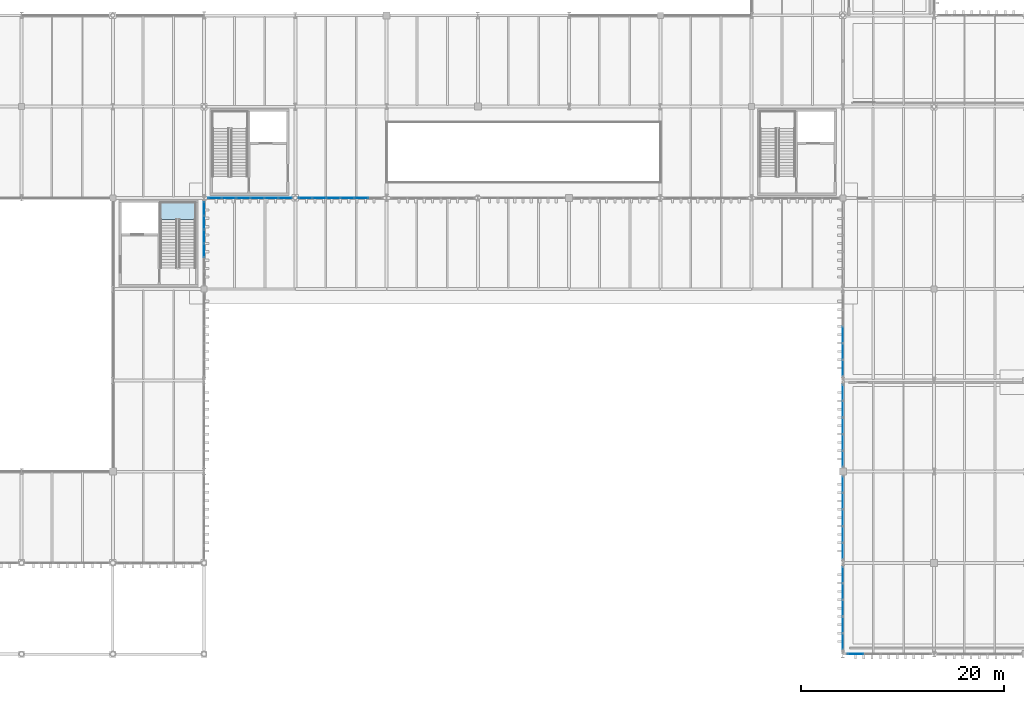
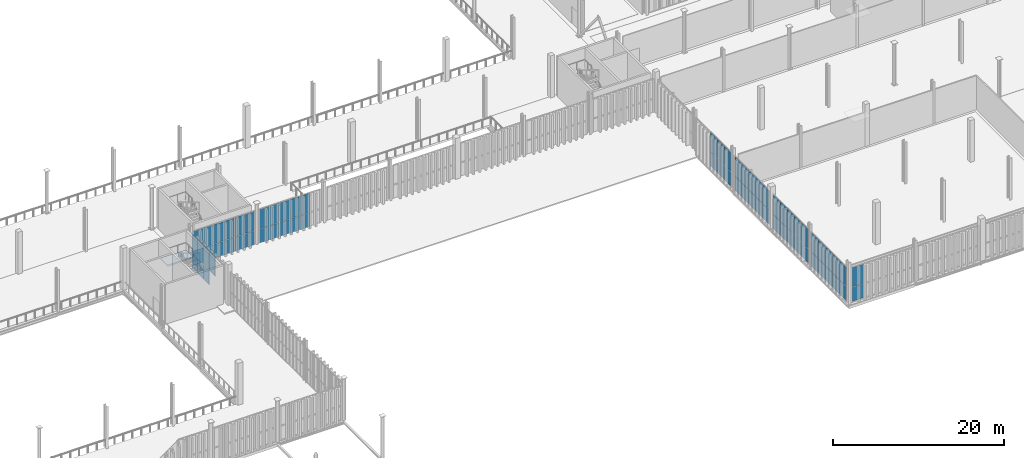
# One storey, part 154 of 211: 67 plates, 1 slab, 9 elements without a shape of their own.
"""IFC4 building model written with IfcOpenShell, lengths in metres."""

from ifc_helpers import new_model, si_unit, direction, frame, origin, origin_2d, place, context, subcontext, project, spatial, polyline, rectangle, outline, extrude, material, layer, layer_set, type_object, element, aggregate, save


model = new_model("IFC4")

# Units and contexts
model_context = context("Model", 3, precision=1e-05, world=origin(), true_north=direction((0.0, 1.0)))
body_context = subcontext(model_context, "Body", "Model", "MODEL_VIEW")
ifc_project = project(units=[si_unit("LENGTHUNIT", "METRE"), si_unit("AREAUNIT", "SQUARE_METRE"), si_unit("VOLUMEUNIT", "CUBIC_METRE"), si_unit("PLANEANGLEUNIT", "RADIAN"), si_unit("MASSUNIT", "GRAM", prefix="KILO")], contexts=[model_context])

# Site, building, storey
site_placement = place(None, origin())
site = spatial("IfcSite", under=ifc_project, at=site_placement, CompositionType="ELEMENT")
building_placement = place(site_placement, origin())
building = spatial("IfcBuilding", under=site, at=building_placement, Name="Barlavento Convention Centre", CompositionType="ELEMENT")
storey_placement = place(building_placement, frame((0.0, 0.0, 6.0)))
storey = spatial("IfcBuildingStorey", under=building, at=storey_placement, Name="L01", CompositionType="ELEMENT", Elevation=6.0)

# Curtain wall, plates
ifc_material_1 = material(Name="Powder-coated aluminium and Low-E glass", Category="aluminium")
ifc_layer_1 = layer(ifc_material_1, 0.18505859375)
ifc_layer_set_1 = layer_set([ifc_layer_1], Name="ARC-CW-CONG-L01")
curtain_wall_type_1 = type_object("IfcCurtainWallType", Name="ARC-CW-CONG-L01", PredefinedType="NOTDEFINED", material=ifc_layer_set_1)
curtain_wall_1_placement = place(storey_placement, origin())
curtain_wall_1 = element("IfcCurtainWall", 1, at=curtain_wall_1_placement, inside=storey, type_object=curtain_wall_type_1, Name="L01 unitised curtain wall CW01", PredefinedType="NOTDEFINED")
ifc_material_2 = material(Name="Double-silver Low-E acoustic laminated glass", Category="glass")
ifc_layer_2 = layer(ifc_material_2, 0.031982421875)
ifc_layer_set_2 = layer_set([ifc_layer_2], Name="ARC-CWP-GLZ32")
plate_type = type_object("IfcPlateType", Name="ARC-CWP-GLZ32", PredefinedType="CURTAIN_PANEL", material=ifc_layer_set_2)
plate_1_placement = place(storey_placement, frame((63.0, 39.819091796875, 2.132568359375), z_axis=(0.0, 0.0, 1.0), x_axis=(0.0, 1.0, 0.0)))
plate_1 = element("IfcPlate", 2, at=plate_1_placement, type_object=plate_type, Name="CW01 panel 3.2", PredefinedType="CURTAIN_PANEL", context=body_context, shape_type="SweptSolid", body=[
    extrude(rectangle(XDim=1.310546875, YDim=0.031982421875, at=origin_2d()), origin(), (0.0, 0.0, 1.0), 2.75244140625),
])
plate_2_placement = place(storey_placement, frame((63.0, 41.19482421875, 0.06494140625), z_axis=(0.0, 0.0, 1.0), x_axis=(0.0, 1.0, 0.0)))
plate_2 = element("IfcPlate", 3, at=plate_2_placement, type_object=plate_type, Name="CW01 panel 4.1", PredefinedType="CURTAIN_PANEL", context=body_context, shape_type="SweptSolid", body=[
    extrude(rectangle(XDim=1.310546875, YDim=0.031982421875, at=origin_2d()), origin(), (0.0, 0.0, 1.0), 2.00244140625),
])
plate_3_placement = place(storey_placement, frame((63.0, 41.19482421875, 2.132568359375), z_axis=(0.0, 0.0, 1.0), x_axis=(0.0, 1.0, 0.0)))
plate_3 = element("IfcPlate", 4, at=plate_3_placement, type_object=plate_type, Name="CW01 panel 4.2", PredefinedType="CURTAIN_PANEL", context=body_context, shape_type="SweptSolid", body=[
    extrude(rectangle(XDim=1.310546875, YDim=0.031982421875, at=origin_2d()), origin(), (0.0, 0.0, 1.0), 2.75244140625),
])
plate_4_placement = place(storey_placement, frame((63.0, 42.570556640625, 0.06494140625), z_axis=(0.0, 0.0, 1.0), x_axis=(0.0, 1.0, 0.0)))
plate_4 = element("IfcPlate", 5, at=plate_4_placement, type_object=plate_type, Name="CW01 panel 5.1", PredefinedType="CURTAIN_PANEL", context=body_context, shape_type="SweptSolid", body=[
    extrude(rectangle(XDim=1.310546875, YDim=0.031982421875, at=origin_2d()), origin(), (0.0, 0.0, 1.0), 2.00244140625),
])
plate_5_placement = place(storey_placement, frame((63.0, 42.570556640625, 2.132568359375), z_axis=(0.0, 0.0, 1.0), x_axis=(0.0, 1.0, 0.0)))
plate_5 = element("IfcPlate", 6, at=plate_5_placement, type_object=plate_type, Name="CW01 panel 5.2", PredefinedType="CURTAIN_PANEL", context=body_context, shape_type="SweptSolid", body=[
    extrude(rectangle(XDim=1.310546875, YDim=0.031982421875, at=origin_2d()), origin(), (0.0, 0.0, 1.0), 2.75244140625),
])
plate_6_placement = place(storey_placement, frame((63.0, 43.929931640625, 0.06494140625), z_axis=(0.0, 0.0, 1.0), x_axis=(0.0, 1.0, 0.0)))
plate_6 = element("IfcPlate", 7, at=plate_6_placement, type_object=plate_type, Name="CW01 panel 6.1", PredefinedType="CURTAIN_PANEL", context=body_context, shape_type="SweptSolid", body=[
    extrude(rectangle(XDim=1.278076171875, YDim=0.031982421875, at=origin_2d()), origin(), (0.0, 0.0, 1.0), 2.00244140625),
])
plate_7_placement = place(storey_placement, frame((63.0, 43.929931640625, 2.132568359375), z_axis=(0.0, 0.0, 1.0), x_axis=(0.0, 1.0, 0.0)))
plate_7 = element("IfcPlate", 8, at=plate_7_placement, type_object=plate_type, Name="CW01 panel 6.2", PredefinedType="CURTAIN_PANEL", context=body_context, shape_type="SweptSolid", body=[
    extrude(rectangle(XDim=1.278076171875, YDim=0.031982421875, at=origin_2d()), origin(), (0.0, 0.0, 1.0), 2.75244140625),
])
aggregate(curtain_wall_1, [plate_1, plate_2, plate_3, plate_4, plate_5, plate_6, plate_7])

ifc_layer_3 = layer(ifc_material_1, 0.195068359375)
ifc_layer_set_3 = layer_set([ifc_layer_3], Name="ARC-CW-FOY-L01")
curtain_wall_type_2 = type_object("IfcCurtainWallType", Name="ARC-CW-FOY-L01", PredefinedType="NOTDEFINED", material=ifc_layer_set_3)
curtain_wall_2_placement = place(storey_placement, origin())
curtain_wall_2 = element("IfcCurtainWall", 9, at=curtain_wall_2_placement, inside=storey, type_object=curtain_wall_type_2, Name="L01 unitised curtain wall CW03", PredefinedType="NOTDEFINED")
plate_8_placement = place(storey_placement, frame((64.078125, 45.0, 0.06494140625), z_axis=(0.0, 0.0, 1.0), x_axis=(1.0, 0.0, 0.0)))
plate_8 = element("IfcPlate", 10, at=plate_8_placement, type_object=plate_type, Name="CW03 panel 1.1", PredefinedType="CURTAIN_PANEL", context=body_context, shape_type="SweptSolid", body=[
    extrude(rectangle(XDim=1.294189453125, YDim=0.031982421875, at=origin_2d()), origin(), (0.0, 0.0, 1.0), 2.00244140625),
])
plate_9_placement = place(storey_placement, frame((64.078125, 45.0, 2.132568359375), z_axis=(0.0, 0.0, 1.0), x_axis=(1.0, 0.0, 0.0)))
plate_9 = element("IfcPlate", 11, at=plate_9_placement, type_object=plate_type, Name="CW03 panel 1.2", PredefinedType="CURTAIN_PANEL", context=body_context, shape_type="SweptSolid", body=[
    extrude(rectangle(XDim=1.294189453125, YDim=0.031982421875, at=origin_2d()), origin(), (0.0, 0.0, 1.0), 2.75244140625),
])
plate_10_placement = place(storey_placement, frame((65.45361328125, 45.0, 0.06494140625), z_axis=(0.0, 0.0, 1.0), x_axis=(1.0, 0.0, 0.0)))
plate_10 = element("IfcPlate", 12, at=plate_10_placement, type_object=plate_type, Name="CW03 panel 2.1", PredefinedType="CURTAIN_PANEL", context=body_context, shape_type="SweptSolid", body=[
    extrude(rectangle(XDim=1.326904296875, YDim=0.031982421875, at=origin_2d()), origin(), (0.0, 0.0, 1.0), 2.00244140625),
])
plate_11_placement = place(storey_placement, frame((65.45361328125, 45.0, 2.132568359375), z_axis=(0.0, 0.0, 1.0), x_axis=(1.0, 0.0, 0.0)))
plate_11 = element("IfcPlate", 13, at=plate_11_placement, type_object=plate_type, Name="CW03 panel 2.2", PredefinedType="CURTAIN_PANEL", context=body_context, shape_type="SweptSolid", body=[
    extrude(rectangle(XDim=1.326904296875, YDim=0.031982421875, at=origin_2d()), origin(), (0.0, 0.0, 1.0), 2.75244140625),
])
plate_12_placement = place(storey_placement, frame((66.845458984375, 45.0, 0.06494140625), z_axis=(0.0, 0.0, 1.0), x_axis=(1.0, 0.0, 0.0)))
plate_12 = element("IfcPlate", 14, at=plate_12_placement, type_object=plate_type, Name="CW03 panel 3.1", PredefinedType="CURTAIN_PANEL", context=body_context, shape_type="SweptSolid", body=[
    extrude(rectangle(XDim=1.326904296875, YDim=0.031982421875, at=origin_2d()), origin(), (0.0, 0.0, 1.0), 2.00244140625),
])
plate_13_placement = place(storey_placement, frame((66.845458984375, 45.0, 2.132568359375), z_axis=(0.0, 0.0, 1.0), x_axis=(1.0, 0.0, 0.0)))
plate_13 = element("IfcPlate", 15, at=plate_13_placement, type_object=plate_type, Name="CW03 panel 3.2", PredefinedType="CURTAIN_PANEL", context=body_context, shape_type="SweptSolid", body=[
    extrude(rectangle(XDim=1.326904296875, YDim=0.031982421875, at=origin_2d()), origin(), (0.0, 0.0, 1.0), 2.75244140625),
])
plate_14_placement = place(storey_placement, frame((68.2373046875, 45.0, 0.06494140625), z_axis=(0.0, 0.0, 1.0), x_axis=(1.0, 0.0, 0.0)))
plate_14 = element("IfcPlate", 16, at=plate_14_placement, type_object=plate_type, Name="CW03 panel 4.1", PredefinedType="CURTAIN_PANEL", context=body_context, shape_type="SweptSolid", body=[
    extrude(rectangle(XDim=1.326904296875, YDim=0.031982421875, at=origin_2d()), origin(), (0.0, 0.0, 1.0), 2.00244140625),
])
plate_15_placement = place(storey_placement, frame((68.2373046875, 45.0, 2.132568359375), z_axis=(0.0, 0.0, 1.0), x_axis=(1.0, 0.0, 0.0)))
plate_15 = element("IfcPlate", 17, at=plate_15_placement, type_object=plate_type, Name="CW03 panel 4.2", PredefinedType="CURTAIN_PANEL", context=body_context, shape_type="SweptSolid", body=[
    extrude(rectangle(XDim=1.326904296875, YDim=0.031982421875, at=origin_2d()), origin(), (0.0, 0.0, 1.0), 2.75244140625),
])
plate_16_placement = place(storey_placement, frame((69.629150390625, 45.0, 0.06494140625), z_axis=(0.0, 0.0, 1.0), x_axis=(1.0, 0.0, 0.0)))
plate_16 = element("IfcPlate", 18, at=plate_16_placement, type_object=plate_type, Name="CW03 panel 5.1", PredefinedType="CURTAIN_PANEL", context=body_context, shape_type="SweptSolid", body=[
    extrude(rectangle(XDim=1.326904296875, YDim=0.031982421875, at=origin_2d()), origin(), (0.0, 0.0, 1.0), 2.00244140625),
])
plate_17_placement = place(storey_placement, frame((69.629150390625, 45.0, 2.132568359375), z_axis=(0.0, 0.0, 1.0), x_axis=(1.0, 0.0, 0.0)))
plate_17 = element("IfcPlate", 19, at=plate_17_placement, type_object=plate_type, Name="CW03 panel 5.2", PredefinedType="CURTAIN_PANEL", context=body_context, shape_type="SweptSolid", body=[
    extrude(rectangle(XDim=1.326904296875, YDim=0.031982421875, at=origin_2d()), origin(), (0.0, 0.0, 1.0), 2.75244140625),
])
plate_18_placement = place(storey_placement, frame((71.004638671875, 45.0, 0.06494140625), z_axis=(0.0, 0.0, 1.0), x_axis=(1.0, 0.0, 0.0)))
plate_18 = element("IfcPlate", 20, at=plate_18_placement, type_object=plate_type, Name="CW03 panel 6.1", PredefinedType="CURTAIN_PANEL", context=body_context, shape_type="SweptSolid", body=[
    extrude(rectangle(XDim=1.294189453125, YDim=0.031982421875, at=origin_2d()), origin(), (0.0, 0.0, 1.0), 2.00244140625),
])
plate_19_placement = place(storey_placement, frame((71.004638671875, 45.0, 2.132568359375), z_axis=(0.0, 0.0, 1.0), x_axis=(1.0, 0.0, 0.0)))
plate_19 = element("IfcPlate", 21, at=plate_19_placement, type_object=plate_type, Name="CW03 panel 6.2", PredefinedType="CURTAIN_PANEL", context=body_context, shape_type="SweptSolid", body=[
    extrude(rectangle(XDim=1.294189453125, YDim=0.031982421875, at=origin_2d()), origin(), (0.0, 0.0, 1.0), 2.75244140625),
])
aggregate(curtain_wall_2, [plate_8, plate_9, plate_10, plate_11, plate_12, plate_13, plate_14, plate_15, plate_16, plate_17, plate_18, plate_19])

curtain_wall_3_placement = place(storey_placement, origin())
curtain_wall_3 = element("IfcCurtainWall", 22, at=curtain_wall_3_placement, inside=storey, type_object=curtain_wall_type_2, Name="L01 unitised curtain wall CW03", PredefinedType="NOTDEFINED")
plate_20_placement = place(storey_placement, frame((72.991455078125, 45.0, 0.06494140625), z_axis=(0.0, 0.0, 1.0), x_axis=(1.0, 0.0, 0.0)))
plate_20 = element("IfcPlate", 23, at=plate_20_placement, type_object=plate_type, Name="CW03 panel 1.1", PredefinedType="CURTAIN_PANEL", context=body_context, shape_type="SweptSolid", body=[
    extrude(rectangle(XDim=1.286376953125, YDim=0.031982421875, at=origin_2d()), origin(), (0.0, 0.0, 1.0), 2.00244140625),
])
plate_21_placement = place(storey_placement, frame((72.991455078125, 45.0, 2.132568359375), z_axis=(0.0, 0.0, 1.0), x_axis=(1.0, 0.0, 0.0)))
plate_21 = element("IfcPlate", 24, at=plate_21_placement, type_object=plate_type, Name="CW03 panel 1.2", PredefinedType="CURTAIN_PANEL", context=body_context, shape_type="SweptSolid", body=[
    extrude(rectangle(XDim=1.286376953125, YDim=0.031982421875, at=origin_2d()), origin(), (0.0, 0.0, 1.0), 2.75244140625),
])
plate_22_placement = place(storey_placement, frame((74.35888671875, 45.0, 0.06494140625), z_axis=(0.0, 0.0, 1.0), x_axis=(1.0, 0.0, 0.0)))
plate_22 = element("IfcPlate", 25, at=plate_22_placement, type_object=plate_type, Name="CW03 panel 2.1", PredefinedType="CURTAIN_PANEL", context=body_context, shape_type="SweptSolid", body=[
    extrude(rectangle(XDim=1.31884765625, YDim=0.031982421875, at=origin_2d()), origin(), (0.0, 0.0, 1.0), 2.00244140625),
])
plate_23_placement = place(storey_placement, frame((74.35888671875, 45.0, 2.132568359375), z_axis=(0.0, 0.0, 1.0), x_axis=(1.0, 0.0, 0.0)))
plate_23 = element("IfcPlate", 26, at=plate_23_placement, type_object=plate_type, Name="CW03 panel 2.2", PredefinedType="CURTAIN_PANEL", context=body_context, shape_type="SweptSolid", body=[
    extrude(rectangle(XDim=1.31884765625, YDim=0.031982421875, at=origin_2d()), origin(), (0.0, 0.0, 1.0), 2.75244140625),
])
plate_24_placement = place(storey_placement, frame((75.74267578125, 45.0, 0.06494140625), z_axis=(0.0, 0.0, 1.0), x_axis=(1.0, 0.0, 0.0)))
plate_24 = element("IfcPlate", 27, at=plate_24_placement, type_object=plate_type, Name="CW03 panel 3.1", PredefinedType="CURTAIN_PANEL", context=body_context, shape_type="SweptSolid", body=[
    extrude(rectangle(XDim=1.31884765625, YDim=0.031982421875, at=origin_2d()), origin(), (0.0, 0.0, 1.0), 2.00244140625),
])
plate_25_placement = place(storey_placement, frame((75.74267578125, 45.0, 2.132568359375), z_axis=(0.0, 0.0, 1.0), x_axis=(1.0, 0.0, 0.0)))
plate_25 = element("IfcPlate", 28, at=plate_25_placement, type_object=plate_type, Name="CW03 panel 3.2", PredefinedType="CURTAIN_PANEL", context=body_context, shape_type="SweptSolid", body=[
    extrude(rectangle(XDim=1.31884765625, YDim=0.031982421875, at=origin_2d()), origin(), (0.0, 0.0, 1.0), 2.75244140625),
])
plate_26_placement = place(storey_placement, frame((77.12646484375, 45.0, 0.06494140625), z_axis=(0.0, 0.0, 1.0), x_axis=(1.0, 0.0, 0.0)))
plate_26 = element("IfcPlate", 29, at=plate_26_placement, type_object=plate_type, Name="CW03 panel 4.1", PredefinedType="CURTAIN_PANEL", context=body_context, shape_type="SweptSolid", body=[
    extrude(rectangle(XDim=1.31884765625, YDim=0.031982421875, at=origin_2d()), origin(), (0.0, 0.0, 1.0), 2.00244140625),
])
plate_27_placement = place(storey_placement, frame((77.12646484375, 45.0, 2.132568359375), z_axis=(0.0, 0.0, 1.0), x_axis=(1.0, 0.0, 0.0)))
plate_27 = element("IfcPlate", 30, at=plate_27_placement, type_object=plate_type, Name="CW03 panel 4.2", PredefinedType="CURTAIN_PANEL", context=body_context, shape_type="SweptSolid", body=[
    extrude(rectangle(XDim=1.31884765625, YDim=0.031982421875, at=origin_2d()), origin(), (0.0, 0.0, 1.0), 2.75244140625),
])
plate_28_placement = place(storey_placement, frame((78.51025390625, 45.0, 0.06494140625), z_axis=(0.0, 0.0, 1.0), x_axis=(1.0, 0.0, 0.0)))
plate_28 = element("IfcPlate", 31, at=plate_28_placement, type_object=plate_type, Name="CW03 panel 5.1", PredefinedType="CURTAIN_PANEL", context=body_context, shape_type="SweptSolid", body=[
    extrude(rectangle(XDim=1.31884765625, YDim=0.031982421875, at=origin_2d()), origin(), (0.0, 0.0, 1.0), 2.00244140625),
])
plate_29_placement = place(storey_placement, frame((78.51025390625, 45.0, 2.132568359375), z_axis=(0.0, 0.0, 1.0), x_axis=(1.0, 0.0, 0.0)))
plate_29 = element("IfcPlate", 32, at=plate_29_placement, type_object=plate_type, Name="CW03 panel 5.2", PredefinedType="CURTAIN_PANEL", context=body_context, shape_type="SweptSolid", body=[
    extrude(rectangle(XDim=1.31884765625, YDim=0.031982421875, at=origin_2d()), origin(), (0.0, 0.0, 1.0), 2.75244140625),
])
aggregate(curtain_wall_3, [plate_20, plate_21, plate_22, plate_23, plate_24, plate_25, plate_26, plate_27, plate_28, plate_29])

ifc_layer_4 = layer(ifc_material_1, 0.18994140625)
ifc_layer_set_4 = layer_set([ifc_layer_4], Name="ARC-CW-BALL-L01")
curtain_wall_type_3 = type_object("IfcCurtainWallType", Name="ARC-CW-BALL-L01", PredefinedType="NOTDEFINED", material=ifc_layer_set_4)
curtain_wall_4_placement = place(storey_placement, origin())
curtain_wall_4 = element("IfcCurtainWall", 33, at=curtain_wall_4_placement, inside=storey, type_object=curtain_wall_type_3, Name="L01 unitised curtain wall CW06", PredefinedType="NOTDEFINED")
plate_30_placement = place(storey_placement, frame((127.263916015625, 0.0, 0.06494140625), z_axis=(0.0, 0.0, 1.0), x_axis=(1.0, 0.0, 0.0)))
plate_30 = element("IfcPlate", 34, at=plate_30_placement, type_object=plate_type, Name="CW06 panel 1.1", PredefinedType="CURTAIN_PANEL", context=body_context, shape_type="SweptSolid", body=[
    extrude(rectangle(XDim=1.539794921875, YDim=0.031982421875, at=origin_2d()), origin(), (0.0, 0.0, 1.0), 2.00244140625),
])
plate_31_placement = place(storey_placement, frame((127.263916015625, 0.0, 2.132568359375), z_axis=(0.0, 0.0, 1.0), x_axis=(1.0, 0.0, 0.0)))
plate_31 = element("IfcPlate", 35, at=plate_31_placement, type_object=plate_type, Name="CW06 panel 1.2", PredefinedType="CURTAIN_PANEL", context=body_context, shape_type="SweptSolid", body=[
    extrude(rectangle(XDim=1.539794921875, YDim=0.031982421875, at=origin_2d()), origin(), (0.0, 0.0, 1.0), 2.75244140625),
])
aggregate(curtain_wall_4, [plate_30, plate_31])

curtain_wall_5_placement = place(storey_placement, origin())
curtain_wall_5 = element("IfcCurtainWall", 36, at=curtain_wall_5_placement, inside=storey, type_object=curtain_wall_type_3, Name="L01 unitised curtain wall CW06", PredefinedType="NOTDEFINED")
plate_32_placement = place(storey_placement, frame((126.0, 1.254638671875, 0.06494140625), z_axis=(0.0, 0.0, 1.0), x_axis=(0.0, 1.0, 0.0)))
plate_32 = element("IfcPlate", 37, at=plate_32_placement, type_object=plate_type, Name="CW06 panel 1.1", PredefinedType="CURTAIN_PANEL", context=body_context, shape_type="SweptSolid", body=[
    extrude(rectangle(XDim=1.55126953125, YDim=0.031982421875, at=origin_2d()), origin(), (0.0, 0.0, 1.0), 2.00244140625),
])
plate_33_placement = place(storey_placement, frame((126.0, 1.254638671875, 2.132568359375), z_axis=(0.0, 0.0, 1.0), x_axis=(0.0, 1.0, 0.0)))
plate_33 = element("IfcPlate", 38, at=plate_33_placement, type_object=plate_type, Name="CW06 panel 1.2", PredefinedType="CURTAIN_PANEL", context=body_context, shape_type="SweptSolid", body=[
    extrude(rectangle(XDim=1.55126953125, YDim=0.031982421875, at=origin_2d()), origin(), (0.0, 0.0, 1.0), 2.75244140625),
])
plate_34_placement = place(storey_placement, frame((126.0, 2.88720703125, 0.06494140625), z_axis=(0.0, 0.0, 1.0), x_axis=(0.0, 1.0, 0.0)))
plate_34 = element("IfcPlate", 39, at=plate_34_placement, type_object=plate_type, Name="CW06 panel 2.1", PredefinedType="CURTAIN_PANEL", context=body_context, shape_type="SweptSolid", body=[
    extrude(rectangle(XDim=1.583740234375, YDim=0.031982421875, at=origin_2d()), origin(), (0.0, 0.0, 1.0), 2.00244140625),
])
plate_35_placement = place(storey_placement, frame((126.0, 2.88720703125, 2.132568359375), z_axis=(0.0, 0.0, 1.0), x_axis=(0.0, 1.0, 0.0)))
plate_35 = element("IfcPlate", 40, at=plate_35_placement, type_object=plate_type, Name="CW06 panel 2.2", PredefinedType="CURTAIN_PANEL", context=body_context, shape_type="SweptSolid", body=[
    extrude(rectangle(XDim=1.583740234375, YDim=0.031982421875, at=origin_2d()), origin(), (0.0, 0.0, 1.0), 2.75244140625),
])
plate_36_placement = place(storey_placement, frame((126.0, 4.535888671875, 0.06494140625), z_axis=(0.0, 0.0, 1.0), x_axis=(0.0, 1.0, 0.0)))
plate_36 = element("IfcPlate", 41, at=plate_36_placement, type_object=plate_type, Name="CW06 panel 3.1", PredefinedType="CURTAIN_PANEL", context=body_context, shape_type="SweptSolid", body=[
    extrude(rectangle(XDim=1.583740234375, YDim=0.031982421875, at=origin_2d()), origin(), (0.0, 0.0, 1.0), 2.00244140625),
])
plate_37_placement = place(storey_placement, frame((126.0, 4.535888671875, 2.132568359375), z_axis=(0.0, 0.0, 1.0), x_axis=(0.0, 1.0, 0.0)))
plate_37 = element("IfcPlate", 42, at=plate_37_placement, type_object=plate_type, Name="CW06 panel 3.2", PredefinedType="CURTAIN_PANEL", context=body_context, shape_type="SweptSolid", body=[
    extrude(rectangle(XDim=1.583740234375, YDim=0.031982421875, at=origin_2d()), origin(), (0.0, 0.0, 1.0), 2.75244140625),
])
plate_38_placement = place(storey_placement, frame((126.0, 6.184814453125, 0.06494140625), z_axis=(0.0, 0.0, 1.0), x_axis=(0.0, 1.0, 0.0)))
plate_38 = element("IfcPlate", 43, at=plate_38_placement, type_object=plate_type, Name="CW06 panel 4.1", PredefinedType="CURTAIN_PANEL", context=body_context, shape_type="SweptSolid", body=[
    extrude(rectangle(XDim=1.583740234375, YDim=0.031982421875, at=origin_2d()), origin(), (0.0, 0.0, 1.0), 2.00244140625),
])
plate_39_placement = place(storey_placement, frame((126.0, 6.184814453125, 2.132568359375), z_axis=(0.0, 0.0, 1.0), x_axis=(0.0, 1.0, 0.0)))
plate_39 = element("IfcPlate", 44, at=plate_39_placement, type_object=plate_type, Name="CW06 panel 4.2", PredefinedType="CURTAIN_PANEL", context=body_context, shape_type="SweptSolid", body=[
    extrude(rectangle(XDim=1.583740234375, YDim=0.031982421875, at=origin_2d()), origin(), (0.0, 0.0, 1.0), 2.75244140625),
])
plate_40_placement = place(storey_placement, frame((126.0, 7.8173828125, 0.06494140625), z_axis=(0.0, 0.0, 1.0), x_axis=(0.0, 1.0, 0.0)))
plate_40 = element("IfcPlate", 45, at=plate_40_placement, type_object=plate_type, Name="CW06 panel 5.1", PredefinedType="CURTAIN_PANEL", context=body_context, shape_type="SweptSolid", body=[
    extrude(rectangle(XDim=1.55126953125, YDim=0.031982421875, at=origin_2d()), origin(), (0.0, 0.0, 1.0), 2.00244140625),
])
plate_41_placement = place(storey_placement, frame((126.0, 7.8173828125, 2.132568359375), z_axis=(0.0, 0.0, 1.0), x_axis=(0.0, 1.0, 0.0)))
plate_41 = element("IfcPlate", 46, at=plate_41_placement, type_object=plate_type, Name="CW06 panel 5.2", PredefinedType="CURTAIN_PANEL", context=body_context, shape_type="SweptSolid", body=[
    extrude(rectangle(XDim=1.55126953125, YDim=0.031982421875, at=origin_2d()), origin(), (0.0, 0.0, 1.0), 2.75244140625),
])
aggregate(curtain_wall_5, [plate_32, plate_33, plate_34, plate_35, plate_36, plate_37, plate_38, plate_39, plate_40, plate_41])

curtain_wall_6_placement = place(storey_placement, origin())
curtain_wall_6 = element("IfcCurtainWall", 47, at=curtain_wall_6_placement, inside=storey, type_object=curtain_wall_type_3, Name="L01 unitised curtain wall CW06", PredefinedType="NOTDEFINED")
plate_42_placement = place(storey_placement, frame((126.0, 10.18115234375, 0.06494140625), z_axis=(0.0, 0.0, 1.0), x_axis=(0.0, 1.0, 0.0)))
plate_42 = element("IfcPlate", 48, at=plate_42_placement, type_object=plate_type, Name="CW06 panel 1.1", PredefinedType="CURTAIN_PANEL", context=body_context, shape_type="SweptSolid", body=[
    extrude(rectangle(XDim=1.548095703125, YDim=0.031982421875, at=origin_2d()), origin(), (0.0, 0.0, 1.0), 2.00244140625),
])
plate_43_placement = place(storey_placement, frame((126.0, 10.18115234375, 2.132568359375), z_axis=(0.0, 0.0, 1.0), x_axis=(0.0, 1.0, 0.0)))
plate_43 = element("IfcPlate", 49, at=plate_43_placement, type_object=plate_type, Name="CW06 panel 1.2", PredefinedType="CURTAIN_PANEL", context=body_context, shape_type="SweptSolid", body=[
    extrude(rectangle(XDim=1.548095703125, YDim=0.031982421875, at=origin_2d()), origin(), (0.0, 0.0, 1.0), 2.75244140625),
])
plate_44_placement = place(storey_placement, frame((126.0, 11.810302734375, 0.06494140625), z_axis=(0.0, 0.0, 1.0), x_axis=(0.0, 1.0, 0.0)))
plate_44 = element("IfcPlate", 50, at=plate_44_placement, type_object=plate_type, Name="CW06 panel 2.1", PredefinedType="CURTAIN_PANEL", context=body_context, shape_type="SweptSolid", body=[
    extrude(rectangle(XDim=1.58056640625, YDim=0.031982421875, at=origin_2d()), origin(), (0.0, 0.0, 1.0), 2.00244140625),
])
plate_45_placement = place(storey_placement, frame((126.0, 11.810302734375, 2.132568359375), z_axis=(0.0, 0.0, 1.0), x_axis=(0.0, 1.0, 0.0)))
plate_45 = element("IfcPlate", 51, at=plate_45_placement, type_object=plate_type, Name="CW06 panel 2.2", PredefinedType="CURTAIN_PANEL", context=body_context, shape_type="SweptSolid", body=[
    extrude(rectangle(XDim=1.58056640625, YDim=0.031982421875, at=origin_2d()), origin(), (0.0, 0.0, 1.0), 2.75244140625),
])
plate_46_placement = place(storey_placement, frame((126.0, 13.4560546875, 0.06494140625), z_axis=(0.0, 0.0, 1.0), x_axis=(0.0, 1.0, 0.0)))
plate_46 = element("IfcPlate", 52, at=plate_46_placement, type_object=plate_type, Name="CW06 panel 3.1", PredefinedType="CURTAIN_PANEL", context=body_context, shape_type="SweptSolid", body=[
    extrude(rectangle(XDim=1.58056640625, YDim=0.031982421875, at=origin_2d()), origin(), (0.0, 0.0, 1.0), 2.00244140625),
])
plate_47_placement = place(storey_placement, frame((126.0, 13.4560546875, 2.132568359375), z_axis=(0.0, 0.0, 1.0), x_axis=(0.0, 1.0, 0.0)))
plate_47 = element("IfcPlate", 53, at=plate_47_placement, type_object=plate_type, Name="CW06 panel 3.2", PredefinedType="CURTAIN_PANEL", context=body_context, shape_type="SweptSolid", body=[
    extrude(rectangle(XDim=1.58056640625, YDim=0.031982421875, at=origin_2d()), origin(), (0.0, 0.0, 1.0), 2.75244140625),
])
plate_48_placement = place(storey_placement, frame((126.0, 15.1015625, 0.06494140625), z_axis=(0.0, 0.0, 1.0), x_axis=(0.0, 1.0, 0.0)))
plate_48 = element("IfcPlate", 54, at=plate_48_placement, type_object=plate_type, Name="CW06 panel 4.1", PredefinedType="CURTAIN_PANEL", context=body_context, shape_type="SweptSolid", body=[
    extrude(rectangle(XDim=1.58056640625, YDim=0.031982421875, at=origin_2d()), origin(), (0.0, 0.0, 1.0), 2.00244140625),
])
plate_49_placement = place(storey_placement, frame((126.0, 15.1015625, 2.132568359375), z_axis=(0.0, 0.0, 1.0), x_axis=(0.0, 1.0, 0.0)))
plate_49 = element("IfcPlate", 55, at=plate_49_placement, type_object=plate_type, Name="CW06 panel 4.2", PredefinedType="CURTAIN_PANEL", context=body_context, shape_type="SweptSolid", body=[
    extrude(rectangle(XDim=1.58056640625, YDim=0.031982421875, at=origin_2d()), origin(), (0.0, 0.0, 1.0), 2.75244140625),
])
plate_50_placement = place(storey_placement, frame((126.0, 16.73095703125, 0.06494140625), z_axis=(0.0, 0.0, 1.0), x_axis=(0.0, 1.0, 0.0)))
plate_50 = element("IfcPlate", 56, at=plate_50_placement, type_object=plate_type, Name="CW06 panel 5.1", PredefinedType="CURTAIN_PANEL", context=body_context, shape_type="SweptSolid", body=[
    extrude(rectangle(XDim=1.548095703125, YDim=0.031982421875, at=origin_2d()), origin(), (0.0, 0.0, 1.0), 2.00244140625),
])
plate_51_placement = place(storey_placement, frame((126.0, 16.73095703125, 2.132568359375), z_axis=(0.0, 0.0, 1.0), x_axis=(0.0, 1.0, 0.0)))
plate_51 = element("IfcPlate", 57, at=plate_51_placement, type_object=plate_type, Name="CW06 panel 5.2", PredefinedType="CURTAIN_PANEL", context=body_context, shape_type="SweptSolid", body=[
    extrude(rectangle(XDim=1.548095703125, YDim=0.031982421875, at=origin_2d()), origin(), (0.0, 0.0, 1.0), 2.75244140625),
])
aggregate(curtain_wall_6, [plate_42, plate_43, plate_44, plate_45, plate_46, plate_47, plate_48, plate_49, plate_50, plate_51])

curtain_wall_7_placement = place(storey_placement, origin())
curtain_wall_7 = element("IfcCurtainWall", 58, at=curtain_wall_7_placement, inside=storey, type_object=curtain_wall_type_3, Name="L01 unitised curtain wall CW06", PredefinedType="NOTDEFINED")
plate_52_placement = place(storey_placement, frame((126.0, 19.26416015625, 0.06494140625), z_axis=(0.0, 0.0, 1.0), x_axis=(0.0, 1.0, 0.0)))
plate_52 = element("IfcPlate", 59, at=plate_52_placement, type_object=plate_type, Name="CW06 panel 1.1", PredefinedType="CURTAIN_PANEL", context=body_context, shape_type="SweptSolid", body=[
    extrude(rectangle(XDim=1.53857421875, YDim=0.031982421875, at=origin_2d()), origin(), (0.0, 0.0, 1.0), 2.00244140625),
])
plate_53_placement = place(storey_placement, frame((126.0, 19.26416015625, 2.132568359375), z_axis=(0.0, 0.0, 1.0), x_axis=(0.0, 1.0, 0.0)))
plate_53 = element("IfcPlate", 60, at=plate_53_placement, type_object=plate_type, Name="CW06 panel 1.2", PredefinedType="CURTAIN_PANEL", context=body_context, shape_type="SweptSolid", body=[
    extrude(rectangle(XDim=1.53857421875, YDim=0.031982421875, at=origin_2d()), origin(), (0.0, 0.0, 1.0), 2.75244140625),
])
plate_54_placement = place(storey_placement, frame((126.0, 20.884033203125, 0.06494140625), z_axis=(0.0, 0.0, 1.0), x_axis=(0.0, 1.0, 0.0)))
plate_54 = element("IfcPlate", 61, at=plate_54_placement, type_object=plate_type, Name="CW06 panel 2.1", PredefinedType="CURTAIN_PANEL", context=body_context, shape_type="SweptSolid", body=[
    extrude(rectangle(XDim=1.571044921875, YDim=0.031982421875, at=origin_2d()), origin(), (0.0, 0.0, 1.0), 2.00244140625),
])
plate_55_placement = place(storey_placement, frame((126.0, 20.884033203125, 2.132568359375), z_axis=(0.0, 0.0, 1.0), x_axis=(0.0, 1.0, 0.0)))
plate_55 = element("IfcPlate", 62, at=plate_55_placement, type_object=plate_type, Name="CW06 panel 2.2", PredefinedType="CURTAIN_PANEL", context=body_context, shape_type="SweptSolid", body=[
    extrude(rectangle(XDim=1.571044921875, YDim=0.031982421875, at=origin_2d()), origin(), (0.0, 0.0, 1.0), 2.75244140625),
])
plate_56_placement = place(storey_placement, frame((126.0, 22.52001953125, 0.06494140625), z_axis=(0.0, 0.0, 1.0), x_axis=(0.0, 1.0, 0.0)))
plate_56 = element("IfcPlate", 63, at=plate_56_placement, type_object=plate_type, Name="CW06 panel 3.1", PredefinedType="CURTAIN_PANEL", context=body_context, shape_type="SweptSolid", body=[
    extrude(rectangle(XDim=1.571044921875, YDim=0.031982421875, at=origin_2d()), origin(), (0.0, 0.0, 1.0), 2.00244140625),
])
plate_57_placement = place(storey_placement, frame((126.0, 22.52001953125, 2.132568359375), z_axis=(0.0, 0.0, 1.0), x_axis=(0.0, 1.0, 0.0)))
plate_57 = element("IfcPlate", 64, at=plate_57_placement, type_object=plate_type, Name="CW06 panel 3.2", PredefinedType="CURTAIN_PANEL", context=body_context, shape_type="SweptSolid", body=[
    extrude(rectangle(XDim=1.571044921875, YDim=0.031982421875, at=origin_2d()), origin(), (0.0, 0.0, 1.0), 2.75244140625),
])
plate_58_placement = place(storey_placement, frame((126.0, 24.156005859375, 0.06494140625), z_axis=(0.0, 0.0, 1.0), x_axis=(0.0, 1.0, 0.0)))
plate_58 = element("IfcPlate", 65, at=plate_58_placement, type_object=plate_type, Name="CW06 panel 4.1", PredefinedType="CURTAIN_PANEL", context=body_context, shape_type="SweptSolid", body=[
    extrude(rectangle(XDim=1.571044921875, YDim=0.031982421875, at=origin_2d()), origin(), (0.0, 0.0, 1.0), 2.00244140625),
])
plate_59_placement = place(storey_placement, frame((126.0, 24.156005859375, 2.132568359375), z_axis=(0.0, 0.0, 1.0), x_axis=(0.0, 1.0, 0.0)))
plate_59 = element("IfcPlate", 66, at=plate_59_placement, type_object=plate_type, Name="CW06 panel 4.2", PredefinedType="CURTAIN_PANEL", context=body_context, shape_type="SweptSolid", body=[
    extrude(rectangle(XDim=1.571044921875, YDim=0.031982421875, at=origin_2d()), origin(), (0.0, 0.0, 1.0), 2.75244140625),
])
plate_60_placement = place(storey_placement, frame((126.0, 25.775634765625, 0.06494140625), z_axis=(0.0, 0.0, 1.0), x_axis=(0.0, 1.0, 0.0)))
plate_60 = element("IfcPlate", 67, at=plate_60_placement, type_object=plate_type, Name="CW06 panel 5.1", PredefinedType="CURTAIN_PANEL", context=body_context, shape_type="SweptSolid", body=[
    extrude(rectangle(XDim=1.53857421875, YDim=0.031982421875, at=origin_2d()), origin(), (0.0, 0.0, 1.0), 2.00244140625),
])
plate_61_placement = place(storey_placement, frame((126.0, 25.775634765625, 2.132568359375), z_axis=(0.0, 0.0, 1.0), x_axis=(0.0, 1.0, 0.0)))
plate_61 = element("IfcPlate", 68, at=plate_61_placement, type_object=plate_type, Name="CW06 panel 5.2", PredefinedType="CURTAIN_PANEL", context=body_context, shape_type="SweptSolid", body=[
    extrude(rectangle(XDim=1.53857421875, YDim=0.031982421875, at=origin_2d()), origin(), (0.0, 0.0, 1.0), 2.75244140625),
])
aggregate(curtain_wall_7, [plate_52, plate_53, plate_54, plate_55, plate_56, plate_57, plate_58, plate_59, plate_60, plate_61])

curtain_wall_8_placement = place(storey_placement, origin())
curtain_wall_8 = element("IfcCurtainWall", 69, at=curtain_wall_8_placement, inside=storey, type_object=curtain_wall_type_3, Name="L01 unitised curtain wall CW06", PredefinedType="NOTDEFINED")
plate_62_placement = place(storey_placement, frame((126.0, 28.229248046875, 0.06494140625), z_axis=(0.0, 0.0, 1.0), x_axis=(0.0, 1.0, 0.0)))
plate_62 = element("IfcPlate", 70, at=plate_62_placement, type_object=plate_type, Name="CW06 panel 1.1", PredefinedType="CURTAIN_PANEL", context=body_context, shape_type="SweptSolid", body=[
    extrude(rectangle(XDim=1.548583984375, YDim=0.031982421875, at=origin_2d()), origin(), (0.0, 0.0, 1.0), 2.00244140625),
])
plate_63_placement = place(storey_placement, frame((126.0, 28.229248046875, 2.132568359375), z_axis=(0.0, 0.0, 1.0), x_axis=(0.0, 1.0, 0.0)))
plate_63 = element("IfcPlate", 71, at=plate_63_placement, type_object=plate_type, Name="CW06 panel 1.2", PredefinedType="CURTAIN_PANEL", context=body_context, shape_type="SweptSolid", body=[
    extrude(rectangle(XDim=1.548583984375, YDim=0.031982421875, at=origin_2d()), origin(), (0.0, 0.0, 1.0), 2.75244140625),
])
plate_64_placement = place(storey_placement, frame((126.0, 29.85888671875, 0.06494140625), z_axis=(0.0, 0.0, 1.0), x_axis=(0.0, 1.0, 0.0)))
plate_64 = element("IfcPlate", 72, at=plate_64_placement, type_object=plate_type, Name="CW06 panel 2.1", PredefinedType="CURTAIN_PANEL", context=body_context, shape_type="SweptSolid", body=[
    extrude(rectangle(XDim=1.5810546875, YDim=0.031982421875, at=origin_2d()), origin(), (0.0, 0.0, 1.0), 2.00244140625),
])
plate_65_placement = place(storey_placement, frame((126.0, 29.85888671875, 2.132568359375), z_axis=(0.0, 0.0, 1.0), x_axis=(0.0, 1.0, 0.0)))
plate_65 = element("IfcPlate", 73, at=plate_65_placement, type_object=plate_type, Name="CW06 panel 2.2", PredefinedType="CURTAIN_PANEL", context=body_context, shape_type="SweptSolid", body=[
    extrude(rectangle(XDim=1.5810546875, YDim=0.031982421875, at=origin_2d()), origin(), (0.0, 0.0, 1.0), 2.75244140625),
])
plate_66_placement = place(storey_placement, frame((126.0, 31.5048828125, 0.06494140625), z_axis=(0.0, 0.0, 1.0), x_axis=(0.0, 1.0, 0.0)))
plate_66 = element("IfcPlate", 74, at=plate_66_placement, type_object=plate_type, Name="CW06 panel 3.1", PredefinedType="CURTAIN_PANEL", context=body_context, shape_type="SweptSolid", body=[
    extrude(rectangle(XDim=1.5810546875, YDim=0.031982421875, at=origin_2d()), origin(), (0.0, 0.0, 1.0), 2.00244140625),
])
plate_67_placement = place(storey_placement, frame((126.0, 31.5048828125, 2.132568359375), z_axis=(0.0, 0.0, 1.0), x_axis=(0.0, 1.0, 0.0)))
plate_67 = element("IfcPlate", 75, at=plate_67_placement, type_object=plate_type, Name="CW06 panel 3.2", PredefinedType="CURTAIN_PANEL", context=body_context, shape_type="SweptSolid", body=[
    extrude(rectangle(XDim=1.5810546875, YDim=0.031982421875, at=origin_2d()), origin(), (0.0, 0.0, 1.0), 2.75244140625),
])
aggregate(curtain_wall_8, [plate_62, plate_63, plate_64, plate_65, plate_66, plate_67])

# Stair, slab
ifc_material_3 = material(Name="Concrete C40/50", Category="concrete")
stair_type = type_object("IfcStairType", Name="ARC-STR-DOG-1620", PredefinedType="HALF_TURN_STAIR", material=ifc_material_3)
stair_placement = place(storey_placement, origin())
stair = element("IfcStair", 76, at=stair_placement, inside=storey, type_object=stair_type, Name="L01 ST02", PredefinedType="HALF_TURN_STAIR")
ifc_layer_5 = layer(ifc_material_3, 0.199951171875)
ifc_layer_set_5 = layer_set([ifc_layer_5], Name="ARC-SLB-LND-200")
slab_type = type_object("IfcSlabType", Name="ARC-SLB-LND-200", PredefinedType="LANDING", material=ifc_layer_set_5)
slab_placement = place(storey_placement, frame((0.0, 0.0, 2.800048828125)))
slab = element("IfcSlab", 77, at=slab_placement, type_object=slab_type, Name="ST02 landing 1", PredefinedType="LANDING", context=body_context, shape_type="SweptSolid", body=[
    extrude(outline(polyline([(62.14990234375, 42.85009765625), (62.14990234375, 44.530029296875), (58.7099609375, 44.530029296875), (58.7099609375, 42.85009765625), (62.14990234375, 42.85009765625)])), origin(), (0.0, 0.0, 1.0), 0.199951171875),
])
aggregate(stair, [slab])

save(model, "model.ifc")
